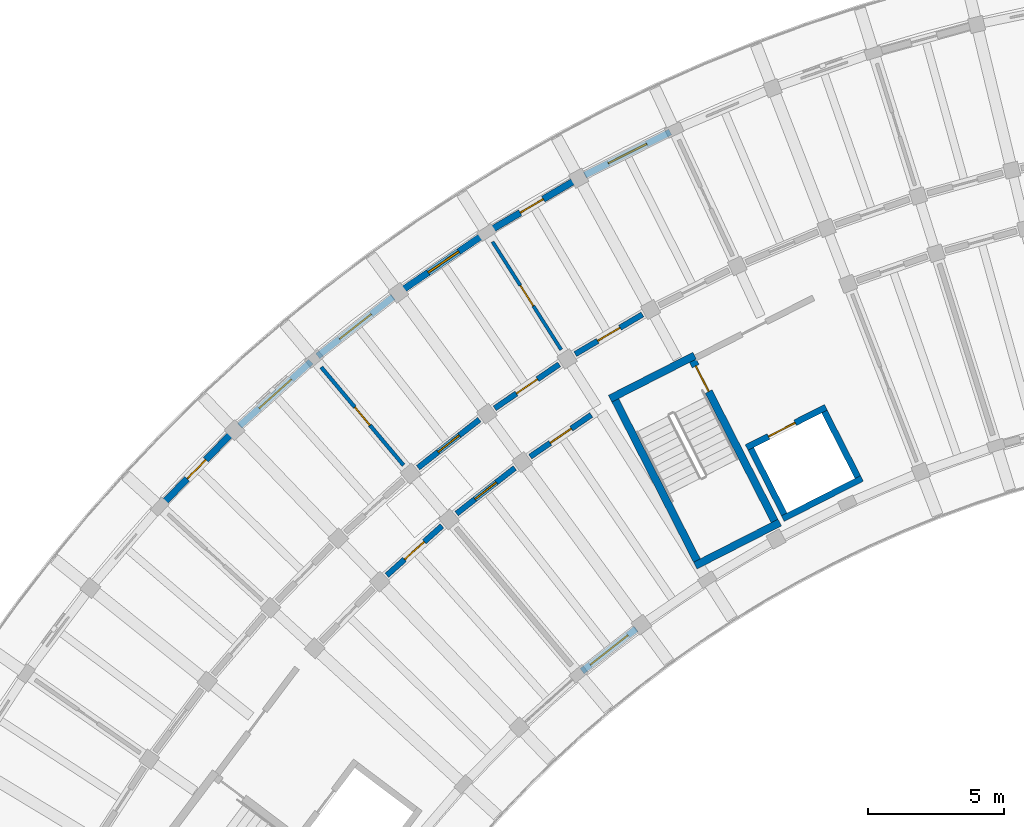
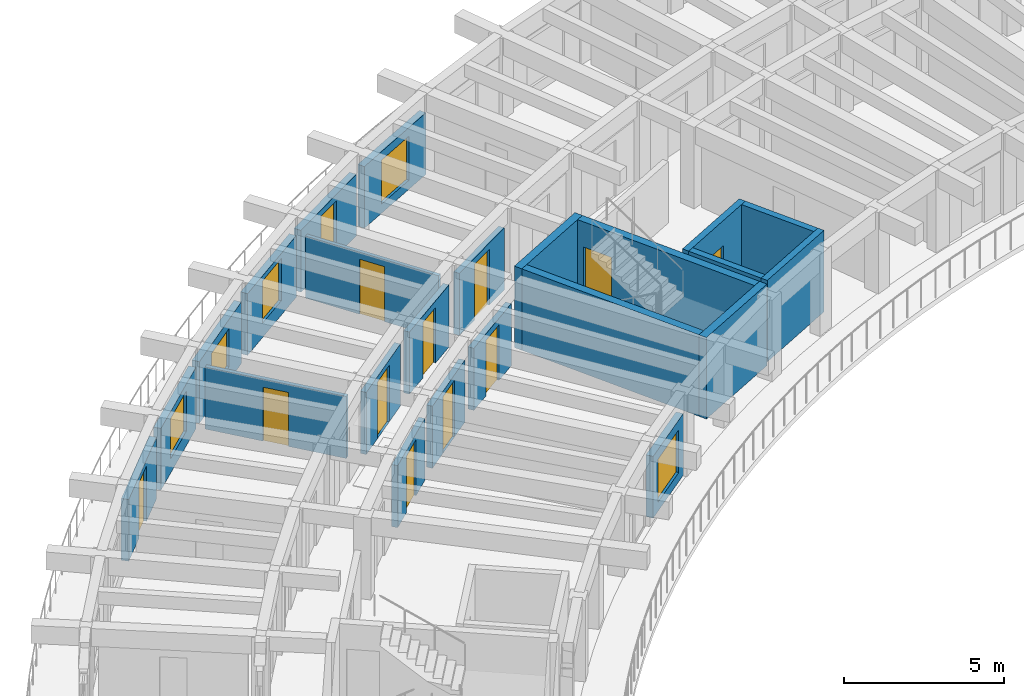
# One storey, part 35 of 69: 23 walls, 12 doors, 5 windows, 17 openings.
"""IFC4 building model written with IfcOpenShell, lengths in metres."""

from ifc_helpers import new_model, si_unit, direction, frame, frame_2d, origin, place, context, subcontext, project, spatial, rectangle, extrude, material, layer, layer_set, type_object, element, fill, save


model = new_model("IFC4")

# Units and contexts
model_context = context("Model", 3, precision=1e-05, world=origin(), true_north=direction((0.0, 1.0)))
body_context = subcontext(model_context, "Body", "Model", "MODEL_VIEW")
ifc_project = project(units=[si_unit("LENGTHUNIT", "METRE"), si_unit("AREAUNIT", "SQUARE_METRE"), si_unit("VOLUMEUNIT", "CUBIC_METRE"), si_unit("PLANEANGLEUNIT", "RADIAN"), si_unit("MASSUNIT", "GRAM", prefix="KILO")], contexts=[model_context])

# Site, building, storey
site_placement = place(None, origin())
site = spatial("IfcSite", under=ifc_project, at=site_placement, CompositionType="ELEMENT")
building_placement = place(site_placement, origin())
building = spatial("IfcBuilding", under=site, at=building_placement, Name="Tanwirah Colonnade Gardens", CompositionType="ELEMENT")
storey_placement = place(building_placement, frame((0.0, 0.0, 15.56005859375)))
storey = spatial("IfcBuildingStorey", under=building, at=storey_placement, Name="L04", CompositionType="ELEMENT", Elevation=15.56005859375)

# Wall, opening, window
ifc_material_1 = material(Name="Limestone architectural precast concrete C40/50", Category="masonry")
ifc_layer_1 = layer(ifc_material_1, 0.2451171875)
ifc_layer_set_1 = layer_set([ifc_layer_1], Name="Limestone architectural precast concrete C40/50")
wall_type_1 = type_object("IfcWallType", Name="EW-PC245", PredefinedType="SOLIDWALL", material=ifc_layer_set_1)
wall_1_placement = place(storey_placement, frame((39.794921875, 114.147216796875, 0.0), z_axis=(0.0, 0.0, 1.0), x_axis=(-0.892756700232, -0.450539092855, 0.0)))
wall_1 = element("IfcWall", 1, at=wall_1_placement, inside=storey, type_object=wall_type_1, Name="Block A L04 OUT Precast Facade Wall 5", PredefinedType="SOLIDWALL", context=body_context, shape_type="SweptSolid", body=[
    extrude(rectangle(XDim=3.520751953125, YDim=0.2451171875, at=frame_2d((1.76025390625, 0.0))), origin(), (0.0, 0.0, 1.0), 2.35498046875),
])
opening_1_placement = place(wall_1_placement, frame((0.97021484375, 0.0, 0.35009765625)))
opening_1 = element("IfcOpeningElement", 2, at=opening_1_placement, cuts=wall_1, Name="Opening WIN-T20", PredefinedType="OPENING", context=body_context, shape_type="SweptSolid", body=[
    extrude(rectangle(XDim=1.580078125, YDim=1.679931640625, at=frame_2d((0.7900390625, 0.83984375))), frame((0.0, 0.132568359375, 0.0), z_axis=(0.0, -1.0, 0.0), x_axis=(1.0, 0.0, 0.0)), (0.0, 0.0, 1.0), 0.26513671875),
])
ifc_material_2 = material(Name="Thermally broken bronze aluminium and solar low-E double glazing", Category="aluminium")
window_type_1 = type_object("IfcWindowType", Name="WIN-T20", PartitioningType="DOUBLE_PANEL_VERTICAL", PredefinedType="WINDOW", material=ifc_material_2)
window_1_placement = place(opening_1_placement, origin())
window_1 = element("IfcWindow", 3, at=window_1_placement, inside=storey, type_object=window_type_1, Name="Facade window A-L04-OUT-05", OverallHeight=1.679931640625, OverallWidth=1.580078125, PartitioningType="SINGLE_PANEL", PredefinedType="WINDOW", context=body_context, shape_type="SweptSolid", body=[
    extrude(rectangle(XDim=1.580078125, YDim=1.679931640625, at=frame_2d((0.7900390625, 0.83984375))), frame((0.0, 0.030029296875, 0.0), z_axis=(0.0, -1.0, 0.0), x_axis=(1.0, 0.0, 0.0)), (0.0, 0.0, 1.0), 0.06005859375),
])
fill(opening_1, window_1)

# Wall, opening, door
wall_2_placement = place(storey_placement, frame((36.22216796875, 112.326171875, 0.0), z_axis=(0.0, 0.0, 1.0), x_axis=(-0.861154218161, -0.50834379365, 0.0)))
wall_2 = element("IfcWall", 4, at=wall_2_placement, inside=storey, type_object=wall_type_1, Name="Block A L04 OUT Precast Facade Wall 6", PredefinedType="SOLIDWALL", context=body_context, shape_type="SweptSolid", body=[
    extrude(rectangle(XDim=3.520751953125, YDim=0.2451171875, at=frame_2d((1.76025390625, 0.0))), origin(), (0.0, 0.0, 1.0), 2.35498046875),
])
opening_2_placement = place(wall_2_placement, frame((1.270263671875, 0.0, 0.0)))
opening_2 = element("IfcOpeningElement", 5, at=opening_2_placement, cuts=wall_2, Name="Opening L04-ED019", PredefinedType="OPENING", context=body_context, shape_type="SweptSolid", body=[
    extrude(rectangle(XDim=0.97998046875, YDim=2.1201171875, at=frame_2d((0.489990234375, 1.06005859375))), frame((0.0, 0.132568359375, 0.0), z_axis=(0.0, -1.0, 0.0), x_axis=(1.0, 0.0, 0.0)), (0.0, 0.0, 1.0), 0.26513671875),
])
ifc_material_3 = material(Name="Bronze aluminium glazed balcony door", Category="aluminium")
door_type_1 = type_object("IfcDoorType", Name="ED-BAL098", OperationType="NOTDEFINED", PredefinedType="DOOR", material=ifc_material_3)
door_1_placement = place(opening_2_placement, origin())
door_1 = element("IfcDoor", 6, at=door_1_placement, inside=storey, type_object=door_type_1, Name="Balcony glazed door L04-ED019", OperationType="SINGLE_SWING_LEFT", OverallHeight=2.1201171875, OverallWidth=0.97998046875, PredefinedType="DOOR", context=body_context, shape_type="SweptSolid", body=[
    extrude(rectangle(XDim=0.97998046875, YDim=2.1201171875, at=frame_2d((0.489990234375, 1.06005859375))), frame((0.0, 0.02490234375, 0.0), z_axis=(0.0, -1.0, 0.0), x_axis=(1.0, 0.0, 0.0)), (0.0, 0.0, 1.0), 0.050048828125),
])
fill(opening_2, door_1)

# Wall, opening, window
wall_3_placement = place(storey_placement, frame((32.92041015625, 110.36474609375, 0.0), z_axis=(0.0, 0.0, 1.0), x_axis=(-0.825745840472, -0.56404238045, 0.0)))
wall_3 = element("IfcWall", 7, at=wall_3_placement, inside=storey, type_object=wall_type_1, Name="Block A L04 OUT Precast Facade Wall 7", PredefinedType="SOLIDWALL", context=body_context, shape_type="SweptSolid", body=[
    extrude(rectangle(XDim=3.520751953125, YDim=0.2451171875, at=frame_2d((1.76025390625, 0.0))), origin(), (0.0, 0.0, 1.0), 2.35498046875),
])
opening_3_placement = place(wall_3_placement, frame((1.080322265625, 0.0, 0.550048828125)))
opening_3 = element("IfcOpeningElement", 8, at=opening_3_placement, cuts=wall_3, Name="Opening WIN-U06", PredefinedType="OPENING", context=body_context, shape_type="SweptSolid", body=[
    extrude(rectangle(XDim=1.360107421875, YDim=1.610107421875, at=frame_2d((0.68017578125, 0.80517578125))), frame((0.0, 0.132568359375, 0.0), z_axis=(0.0, -1.0, 0.0), x_axis=(1.0, 0.0, 0.0)), (0.0, 0.0, 1.0), 0.26513671875),
])
window_type_2 = type_object("IfcWindowType", Name="WIN-U06", PartitioningType="DOUBLE_PANEL_VERTICAL", PredefinedType="WINDOW", material=ifc_material_2)
window_2_placement = place(opening_3_placement, origin())
window_2 = element("IfcWindow", 9, at=window_2_placement, inside=storey, type_object=window_type_2, Name="Facade window A-L04-OUT-07", OverallHeight=1.610107421875, OverallWidth=1.360107421875, PartitioningType="SINGLE_PANEL", PredefinedType="WINDOW", context=body_context, shape_type="SweptSolid", body=[
    extrude(rectangle(XDim=1.360107421875, YDim=1.610107421875, at=frame_2d((0.68017578125, 0.80517578125))), frame((0.0, 0.030029296875, 0.0), z_axis=(0.0, -1.0, 0.0), x_axis=(1.0, 0.0, 0.0)), (0.0, 0.0, 1.0), 0.06005859375),
])
fill(opening_3, window_2)

wall_4_placement = place(storey_placement, frame((29.617919921875, 108.089599609375, 0.0), z_axis=(0.0, 0.0, 1.0), x_axis=(-0.786813798172, -0.617190446301, 0.0)))
wall_4 = element("IfcWall", 10, at=wall_4_placement, inside=storey, type_object=wall_type_1, Name="Block A L04 OUT Precast Facade Wall 8", PredefinedType="SOLIDWALL", context=body_context, shape_type="SweptSolid", body=[
    extrude(rectangle(XDim=3.5205078125, YDim=0.2451171875, at=frame_2d((1.76025390625, 0.0))), origin(), (0.0, 0.0, 1.0), 2.35498046875),
])
opening_4_placement = place(wall_4_placement, frame((1.020263671875, 0.0, 0.550048828125)))
opening_4 = element("IfcOpeningElement", 11, at=opening_4_placement, cuts=wall_4, Name="Opening WIN-U09", PredefinedType="OPENING", context=body_context, shape_type="SweptSolid", body=[
    extrude(rectangle(XDim=1.47998046875, YDim=1.4599609375, at=frame_2d((0.739990234375, 0.72998046875))), frame((0.0, 0.132568359375, 0.0), z_axis=(0.0, -1.0, 0.0), x_axis=(1.0, 0.0, 0.0)), (0.0, 0.0, 1.0), 0.26513671875),
])
window_type_3 = type_object("IfcWindowType", Name="WIN-U09", PartitioningType="DOUBLE_PANEL_VERTICAL", PredefinedType="WINDOW", material=ifc_material_2)
window_3_placement = place(opening_4_placement, origin())
window_3 = element("IfcWindow", 12, at=window_3_placement, inside=storey, type_object=window_type_3, Name="Facade window A-L04-OUT-08", OverallHeight=1.4599609375, OverallWidth=1.47998046875, PartitioningType="SINGLE_PANEL", PredefinedType="WINDOW", context=body_context, shape_type="SweptSolid", body=[
    extrude(rectangle(XDim=1.47998046875, YDim=1.4599609375, at=frame_2d((0.739990234375, 0.72998046875))), frame((0.0, 0.030029296875, 0.0), z_axis=(0.0, -1.0, 0.0), x_axis=(1.0, 0.0, 0.0)), (0.0, 0.0, 1.0), 0.06005859375),
])
fill(opening_4, window_3)

wall_5_placement = place(storey_placement, frame((38.541015625, 95.907958984375, 0.0), z_axis=(0.0, 0.0, 1.0), x_axis=(-0.786831325151, -0.617168101704, 0.0)))
wall_5 = element("IfcWall", 13, at=wall_5_placement, inside=storey, type_object=wall_type_1, Name="Block A L04 IN Precast Facade Wall 8", PredefinedType="SOLIDWALL", context=body_context, shape_type="SweptSolid", body=[
    extrude(rectangle(XDim=2.525390625, YDim=0.2451171875, at=frame_2d((1.2626953125, 0.0))), origin(), (0.0, 0.0, 1.0), 2.35498046875),
])
opening_5_placement = place(wall_5_placement, frame((0.382568359375, 0.0, 0.35009765625)))
opening_5 = element("IfcOpeningElement", 14, at=opening_5_placement, cuts=wall_5, Name="Opening WIN-U16", PredefinedType="OPENING", context=body_context, shape_type="SweptSolid", body=[
    extrude(rectangle(XDim=1.760009765625, YDim=1.635009765625, at=frame_2d((0.8798828125, 0.8173828125))), frame((0.0, 0.132568359375, 0.0), z_axis=(0.0, -1.0, 0.0), x_axis=(1.0, 0.0, 0.0)), (0.0, 0.0, 1.0), 0.26513671875),
])
window_type_4 = type_object("IfcWindowType", Name="WIN-U16", PartitioningType="DOUBLE_PANEL_VERTICAL", PredefinedType="WINDOW", material=ifc_material_2)
window_4_placement = place(opening_5_placement, origin())
window_4 = element("IfcWindow", 15, at=window_4_placement, inside=storey, type_object=window_type_4, Name="Facade window A-L04-IN-08", OverallHeight=1.635009765625, OverallWidth=1.760009765625, PartitioningType="SINGLE_PANEL", PredefinedType="WINDOW", context=body_context, shape_type="SweptSolid", body=[
    extrude(rectangle(XDim=1.760009765625, YDim=1.635009765625, at=frame_2d((0.8798828125, 0.8173828125))), frame((0.0, 0.030029296875, 0.0), z_axis=(0.0, -1.0, 0.0), x_axis=(1.0, 0.0, 0.0)), (0.0, 0.0, 1.0), 0.06005859375),
])
fill(opening_5, window_4)

wall_6_placement = place(storey_placement, frame((26.602783203125, 105.711181640625, 0.0), z_axis=(0.0, 0.0, 1.0), x_axis=(-0.744413726571, -0.667718656092, 0.0)))
wall_6 = element("IfcWall", 16, at=wall_6_placement, inside=storey, type_object=wall_type_1, Name="Block A L04 OUT Precast Facade Wall 9", PredefinedType="SOLIDWALL", context=body_context, shape_type="SweptSolid", body=[
    extrude(rectangle(XDim=3.520751953125, YDim=0.2451171875, at=frame_2d((1.76025390625, 0.0))), origin(), (0.0, 0.0, 1.0), 2.35498046875),
])
opening_6_placement = place(wall_6_placement, frame((0.960205078125, 0.0, 0.550048828125)))
opening_6 = element("IfcOpeningElement", 17, at=opening_6_placement, cuts=wall_6, Name="Opening WIN-U12", PredefinedType="OPENING", context=body_context, shape_type="SweptSolid", body=[
    extrude(rectangle(XDim=1.60009765625, YDim=1.534912109375, at=frame_2d((0.800048828125, 0.767578125))), frame((0.0, 0.132568359375, 0.0), z_axis=(0.0, -1.0, 0.0), x_axis=(1.0, 0.0, 0.0)), (0.0, 0.0, 1.0), 0.26513671875),
])
window_type_5 = type_object("IfcWindowType", Name="WIN-U12", PartitioningType="DOUBLE_PANEL_VERTICAL", PredefinedType="WINDOW", material=ifc_material_2)
window_5_placement = place(opening_6_placement, origin())
window_5 = element("IfcWindow", 18, at=window_5_placement, inside=storey, type_object=window_type_5, Name="Facade window A-L04-OUT-09", OverallHeight=1.534912109375, OverallWidth=1.60009765625, PartitioningType="SINGLE_PANEL", PredefinedType="WINDOW", context=body_context, shape_type="SweptSolid", body=[
    extrude(rectangle(XDim=1.60009765625, YDim=1.534912109375, at=frame_2d((0.800048828125, 0.767578125))), frame((0.0, 0.030029296875, 0.0), z_axis=(0.0, -1.0, 0.0), x_axis=(1.0, 0.0, 0.0)), (0.0, 0.0, 1.0), 0.06005859375),
])
fill(opening_6, window_5)

# Wall, opening, door
wall_7_placement = place(storey_placement, frame((23.62841796875, 103.021484375, 0.0), z_axis=(0.0, 0.0, 1.0), x_axis=(-0.698841852324, -0.715276216186, 0.0)))
wall_7 = element("IfcWall", 19, at=wall_7_placement, inside=storey, type_object=wall_type_1, Name="Block A L04 OUT Precast Facade Wall 10", PredefinedType="SOLIDWALL", context=body_context, shape_type="SweptSolid", body=[
    extrude(rectangle(XDim=3.520751953125, YDim=0.2451171875, at=frame_2d((1.76025390625, 0.0))), origin(), (0.0, 0.0, 1.0), 2.35498046875),
])
opening_7_placement = place(wall_7_placement, frame((1.270263671875, 0.0, 0.0)))
opening_7 = element("IfcOpeningElement", 20, at=opening_7_placement, cuts=wall_7, Name="Opening L04-ED020", PredefinedType="OPENING", context=body_context, shape_type="SweptSolid", body=[
    extrude(rectangle(XDim=0.97998046875, YDim=2.1201171875, at=frame_2d((0.489990234375, 1.06005859375))), frame((0.0, 0.132568359375, 0.0), z_axis=(0.0, -1.0, 0.0), x_axis=(1.0, 0.0, 0.0)), (0.0, 0.0, 1.0), 0.26513671875),
])
door_2_placement = place(opening_7_placement, origin())
door_2 = element("IfcDoor", 21, at=door_2_placement, inside=storey, type_object=door_type_1, Name="Balcony glazed door L04-ED020", OperationType="SINGLE_SWING_LEFT", OverallHeight=2.1201171875, OverallWidth=0.97998046875, PredefinedType="DOOR", context=body_context, shape_type="SweptSolid", body=[
    extrude(rectangle(XDim=0.97998046875, YDim=2.1201171875, at=frame_2d((0.489990234375, 1.06005859375))), frame((0.0, 0.02490234375, 0.0), z_axis=(0.0, -1.0, 0.0), x_axis=(1.0, 0.0, 0.0)), (0.0, 0.0, 1.0), 0.050048828125),
])
fill(opening_7, door_2)

ifc_material_4 = material(Name="Precast concrete C40/50", Category="concrete")
ifc_layer_2 = layer(ifc_material_4, 0.205078125)
ifc_layer_set_2 = layer_set([ifc_layer_2], Name="Precast concrete C40/50")
wall_type_2 = type_object("IfcWallType", Name="IW-CORR205", PredefinedType="PARTITIONING", material=ifc_layer_set_2)
wall_8_placement = place(storey_placement, frame((38.77001953125, 107.447021484375, 0.0), z_axis=(0.0, 0.0, 1.0), x_axis=(-0.861113214678, -0.508413248753, 0.0)))
wall_8 = element("IfcWall", 22, at=wall_8_placement, inside=storey, type_object=wall_type_2, Name="Block A L04 OUT Corridor Wall 6", PredefinedType="PARTITIONING", context=body_context, shape_type="SweptSolid", body=[
    extrude(rectangle(XDim=2.863037109375, YDim=0.205078125, at=frame_2d((1.431640625, 0.0))), origin(), (0.0, 0.0, 1.0), 2.369873046875),
])
opening_8_placement = place(wall_8_placement, frame((0.95654296875, 0.0, 0.0)))
opening_8 = element("IfcOpeningElement", 23, at=opening_8_placement, cuts=wall_8, Name="Opening L04-AD403", PredefinedType="OPENING", context=body_context, shape_type="SweptSolid", body=[
    extrude(rectangle(XDim=0.949951171875, YDim=2.1298828125, at=frame_2d((0.47509765625, 1.06494140625))), frame((0.0, 0.112548828125, 0.0), z_axis=(0.0, -1.0, 0.0), x_axis=(1.0, 0.0, 0.0)), (0.0, 0.0, 1.0), 0.22509765625),
])
ifc_material_5 = material(Name="Solid oak fire-resisting apartment entrance door")
door_type_2 = type_object("IfcDoorType", Name="ID-FLT095", OperationType="NOTDEFINED", PredefinedType="DOOR", material=ifc_material_5)
door_3_placement = place(opening_8_placement, origin())
door_3 = element("IfcDoor", 24, at=door_3_placement, inside=storey, type_object=door_type_2, Name="Apartment corridor door L04-AD403", OperationType="SINGLE_SWING_LEFT", OverallHeight=2.1298828125, OverallWidth=0.949951171875, PredefinedType="DOOR", context=body_context, shape_type="SweptSolid", body=[
    extrude(rectangle(XDim=0.949951171875, YDim=2.1298828125, at=frame_2d((0.47509765625, 1.06494140625))), frame((0.0, 0.02490234375, 0.0), z_axis=(0.0, -1.0, 0.0), x_axis=(1.0, 0.0, 0.0)), (0.0, 0.0, 1.0), 0.050048828125),
])
fill(opening_8, door_3)

wall_9_placement = place(storey_placement, frame((35.714111328125, 105.615966796875, 0.0), z_axis=(0.0, 0.0, 1.0), x_axis=(-0.825779671787, -0.563992848947, 0.0)))
wall_9 = element("IfcWall", 25, at=wall_9_placement, inside=storey, type_object=wall_type_2, Name="Block A L04 OUT Corridor Wall 7", PredefinedType="PARTITIONING", context=body_context, shape_type="SweptSolid", body=[
    extrude(rectangle(XDim=2.863037109375, YDim=0.205078125, at=frame_2d((1.431640625, 0.0))), origin(), (0.0, 0.0, 1.0), 2.369873046875),
])
opening_9_placement = place(wall_9_placement, frame((0.966552734375, 0.0, 0.0)))
opening_9 = element("IfcOpeningElement", 26, at=opening_9_placement, cuts=wall_9, Name="Opening L04-AD405", PredefinedType="OPENING", context=body_context, shape_type="SweptSolid", body=[
    extrude(rectangle(XDim=0.929931640625, YDim=2.1201171875, at=frame_2d((0.46484375, 1.06005859375))), frame((0.0, 0.112548828125, 0.0), z_axis=(0.0, -1.0, 0.0), x_axis=(1.0, 0.0, 0.0)), (0.0, 0.0, 1.0), 0.22509765625),
])
door_type_3 = type_object("IfcDoorType", Name="ID-FLT093", OperationType="NOTDEFINED", PredefinedType="DOOR", material=ifc_material_5)
door_4_placement = place(opening_9_placement, origin())
door_4 = element("IfcDoor", 27, at=door_4_placement, inside=storey, type_object=door_type_3, Name="Apartment corridor door L04-AD405", OperationType="SINGLE_SWING_RIGHT", OverallHeight=2.1201171875, OverallWidth=0.929931640625, PredefinedType="DOOR", context=body_context, shape_type="SweptSolid", body=[
    extrude(rectangle(XDim=0.929931640625, YDim=2.1201171875, at=frame_2d((0.46484375, 1.06005859375))), frame((0.0, 0.02490234375, 0.0), z_axis=(0.0, -1.0, 0.0), x_axis=(1.0, 0.0, 0.0)), (0.0, 0.0, 1.0), 0.050048828125),
])
fill(opening_9, door_4)

wall_10_placement = place(storey_placement, frame((36.89453125, 103.759521484375, 0.0), z_axis=(0.0, 0.0, 1.0), x_axis=(-0.825752009056, -0.56403334967, 0.0)))
wall_10 = element("IfcWall", 28, at=wall_10_placement, inside=storey, type_object=wall_type_2, Name="Block A L04 IN Corridor Wall 7", PredefinedType="PARTITIONING", context=body_context, shape_type="SweptSolid", body=[
    extrude(rectangle(XDim=2.71826171875, YDim=0.205078125, at=frame_2d((1.359130859375, 0.0))), origin(), (0.0, 0.0, 1.0), 2.369873046875),
])
opening_10_placement = place(wall_10_placement, frame((0.89404296875, 0.0, 0.0)))
opening_10 = element("IfcOpeningElement", 29, at=opening_10_placement, cuts=wall_10, Name="Opening L04-AD406", PredefinedType="OPENING", context=body_context, shape_type="SweptSolid", body=[
    extrude(rectangle(XDim=0.929931640625, YDim=2.1201171875, at=frame_2d((0.46484375, 1.06005859375))), frame((0.0, 0.112548828125, 0.0), z_axis=(0.0, -1.0, 0.0), x_axis=(1.0, 0.0, 0.0)), (0.0, 0.0, 1.0), 0.22509765625),
])
door_5_placement = place(opening_10_placement, origin())
door_5 = element("IfcDoor", 30, at=door_5_placement, inside=storey, type_object=door_type_3, Name="Apartment corridor door L04-AD406", OperationType="SINGLE_SWING_LEFT", OverallHeight=2.1201171875, OverallWidth=0.929931640625, PredefinedType="DOOR", context=body_context, shape_type="SweptSolid", body=[
    extrude(rectangle(XDim=0.929931640625, YDim=2.1201171875, at=frame_2d((0.46484375, 1.06005859375))), frame((0.0, 0.02490234375, 0.0), z_axis=(0.0, -1.0, 0.0), x_axis=(1.0, 0.0, 0.0)), (0.0, 0.0, 1.0), 0.050048828125),
])
fill(opening_10, door_5)

wall_11_placement = place(storey_placement, frame((32.785400390625, 103.587890625, 0.0), z_axis=(0.0, 0.0, 1.0), x_axis=(-0.786806323554, -0.617199975061, 0.0)))
wall_11 = element("IfcWall", 31, at=wall_11_placement, inside=storey, type_object=wall_type_2, Name="Block A L04 OUT Corridor Wall 8", PredefinedType="PARTITIONING", context=body_context, shape_type="SweptSolid", body=[
    extrude(rectangle(XDim=2.863037109375, YDim=0.205078125, at=frame_2d((1.431640625, 0.0))), origin(), (0.0, 0.0, 1.0), 2.369873046875),
])
opening_11_placement = place(wall_11_placement, frame((0.9365234375, 0.0, 0.0)))
opening_11 = element("IfcOpeningElement", 32, at=opening_11_placement, cuts=wall_11, Name="Opening L04-AD407", PredefinedType="OPENING", context=body_context, shape_type="SweptSolid", body=[
    extrude(rectangle(XDim=0.989990234375, YDim=2.159912109375, at=frame_2d((0.4951171875, 1.080078125))), frame((0.0, 0.112548828125, 0.0), z_axis=(0.0, -1.0, 0.0), x_axis=(1.0, 0.0, 0.0)), (0.0, 0.0, 1.0), 0.22509765625),
])
door_type_4 = type_object("IfcDoorType", Name="ID-FLT099", OperationType="NOTDEFINED", PredefinedType="DOOR", material=ifc_material_5)
door_6_placement = place(opening_11_placement, origin())
door_6 = element("IfcDoor", 33, at=door_6_placement, inside=storey, type_object=door_type_4, Name="Apartment corridor door L04-AD407", OperationType="SINGLE_SWING_LEFT", OverallHeight=2.159912109375, OverallWidth=0.989990234375, PredefinedType="DOOR", context=body_context, shape_type="SweptSolid", body=[
    extrude(rectangle(XDim=0.989990234375, YDim=2.159912109375, at=frame_2d((0.4951171875, 1.080078125))), frame((0.0, 0.02490234375, 0.0), z_axis=(0.0, -1.0, 0.0), x_axis=(1.0, 0.0, 0.0)), (0.0, 0.0, 1.0), 0.050048828125),
])
fill(opening_11, door_6)

wall_12_placement = place(storey_placement, frame((34.08544921875, 101.81298828125, 0.0), z_axis=(0.0, 0.0, 1.0), x_axis=(-0.786835457019, -0.617162833924, 0.0)))
wall_12 = element("IfcWall", 34, at=wall_12_placement, inside=storey, type_object=wall_type_2, Name="Block A L04 IN Corridor Wall 8", PredefinedType="PARTITIONING", context=body_context, shape_type="SweptSolid", body=[
    extrude(rectangle(XDim=2.718017578125, YDim=0.205078125, at=frame_2d((1.35888671875, 0.0))), origin(), (0.0, 0.0, 1.0), 2.369873046875),
])
opening_12_placement = place(wall_12_placement, frame((0.864013671875, 0.0, 0.0)))
opening_12 = element("IfcOpeningElement", 35, at=opening_12_placement, cuts=wall_12, Name="Opening L04-AD408", PredefinedType="OPENING", context=body_context, shape_type="SweptSolid", body=[
    extrude(rectangle(XDim=0.989990234375, YDim=2.159912109375, at=frame_2d((0.4951171875, 1.080078125))), frame((0.0, 0.112548828125, 0.0), z_axis=(0.0, -1.0, 0.0), x_axis=(1.0, 0.0, 0.0)), (0.0, 0.0, 1.0), 0.22509765625),
])
door_7_placement = place(opening_12_placement, origin())
door_7 = element("IfcDoor", 36, at=door_7_placement, inside=storey, type_object=door_type_4, Name="Apartment corridor door L04-AD408", OperationType="SINGLE_SWING_RIGHT", OverallHeight=2.159912109375, OverallWidth=0.989990234375, PredefinedType="DOOR", context=body_context, shape_type="SweptSolid", body=[
    extrude(rectangle(XDim=0.989990234375, YDim=2.159912109375, at=frame_2d((0.4951171875, 1.080078125))), frame((0.0, 0.02490234375, 0.0), z_axis=(0.0, -1.0, 0.0), x_axis=(1.0, 0.0, 0.0)), (0.0, 0.0, 1.0), 0.050048828125),
])
fill(opening_12, door_7)

wall_13_placement = place(storey_placement, frame((31.410888671875, 99.685791015625, 0.0), z_axis=(0.0, 0.0, 1.0), x_axis=(-0.744418559135, -0.667713268413, 0.0)))
wall_13 = element("IfcWall", 37, at=wall_13_placement, inside=storey, type_object=wall_type_2, Name="Block A L04 IN Corridor Wall 9", PredefinedType="PARTITIONING", context=body_context, shape_type="SweptSolid", body=[
    extrude(rectangle(XDim=2.71826171875, YDim=0.205078125, at=frame_2d((1.359130859375, 0.0))), origin(), (0.0, 0.0, 1.0), 2.369873046875),
])
opening_13_placement = place(wall_13_placement, frame((0.8740234375, 0.0, 0.0)))
opening_13 = element("IfcOpeningElement", 38, at=opening_13_placement, cuts=wall_13, Name="Opening L04-AD411", PredefinedType="OPENING", context=body_context, shape_type="SweptSolid", body=[
    extrude(rectangle(XDim=0.969970703125, YDim=2.14990234375, at=frame_2d((0.48486328125, 1.074951171875))), frame((0.0, 0.112548828125, 0.0), z_axis=(0.0, -1.0, 0.0), x_axis=(1.0, 0.0, 0.0)), (0.0, 0.0, 1.0), 0.22509765625),
])
door_type_5 = type_object("IfcDoorType", Name="ID-FLT097", OperationType="NOTDEFINED", PredefinedType="DOOR", material=ifc_material_5)
door_8_placement = place(opening_13_placement, origin())
door_8 = element("IfcDoor", 39, at=door_8_placement, inside=storey, type_object=door_type_5, Name="Apartment corridor door L04-AD411", OperationType="SINGLE_SWING_LEFT", OverallHeight=2.14990234375, OverallWidth=0.969970703125, PredefinedType="DOOR", context=body_context, shape_type="SweptSolid", body=[
    extrude(rectangle(XDim=0.969970703125, YDim=2.14990234375, at=frame_2d((0.48486328125, 1.074951171875))), frame((0.0, 0.02490234375, 0.0), z_axis=(0.0, -1.0, 0.0), x_axis=(1.0, 0.0, 0.0)), (0.0, 0.0, 1.0), 0.050048828125),
])
fill(opening_13, door_8)

ifc_material_6 = material(Name="Moisture-resistant gypsum stud partition")
ifc_layer_3 = layer(ifc_material_6, 0.125)
ifc_layer_set_3 = layer_set([ifc_layer_3], Name="Moisture-resistant gypsum stud partition")
wall_type_3 = type_object("IfcWallType", Name="IW-INT125", PredefinedType="PARTITIONING", material=ifc_layer_set_3)
wall_14_placement = place(storey_placement, frame((35.78857421875, 106.151123046875, 0.0), z_axis=(0.0, 0.0, 1.0), x_axis=(-0.536492262982, 0.843905238614, 0.0)))
wall_14 = element("IfcWall", 40, at=wall_14_placement, inside=storey, type_object=wall_type_3, Name="Block A L04 Radial Partition 6", PredefinedType="PARTITIONING", context=body_context, shape_type="SweptSolid", body=[
    extrude(rectangle(XDim=4.699951171875, YDim=0.125, at=frame_2d((2.35009765625, 0.0))), origin(), (0.0, 0.0, 1.0), 2.369873046875),
])
opening_14_placement = place(wall_14_placement, frame((1.905029296875, 0.0, 0.0)))
opening_14 = element("IfcOpeningElement", 41, at=opening_14_placement, cuts=wall_14, Name="Opening L04-RD404", PredefinedType="OPENING", context=body_context, shape_type="SweptSolid", body=[
    extrude(rectangle(XDim=0.889892578125, YDim=2.10009765625, at=frame_2d((0.44482421875, 1.050048828125))), frame((0.0, 0.072509765625, 0.0), z_axis=(0.0, -1.0, 0.0), x_axis=(1.0, 0.0, 0.0)), (0.0, 0.0, 1.0), 0.14501953125),
])
ifc_material_7 = material(Name="Painted hardwood bedroom door", Category="wood")
door_type_6 = type_object("IfcDoorType", Name="ID-RM089", OperationType="NOTDEFINED", PredefinedType="DOOR", material=ifc_material_7)
door_9_placement = place(opening_14_placement, origin())
door_9 = element("IfcDoor", 42, at=door_9_placement, inside=storey, type_object=door_type_6, Name="Internal apartment door L04-RD404", OperationType="SINGLE_SWING_LEFT", OverallHeight=2.10009765625, OverallWidth=0.889892578125, PredefinedType="DOOR", context=body_context, shape_type="SweptSolid", body=[
    extrude(rectangle(XDim=0.889892578125, YDim=2.10009765625, at=frame_2d((0.44482421875, 1.050048828125))), frame((0.0, 0.02490234375, 0.0), z_axis=(0.0, -1.0, 0.0), x_axis=(1.0, 0.0, 0.0)), (0.0, 0.0, 1.0), 0.050048828125),
])
fill(opening_14, door_9)

ifc_material_8 = material(Name="Water-resistant acoustic plumbing partition")
ifc_layer_4 = layer(ifc_material_8, 0.139892578125)
ifc_layer_set_4 = layer_set([ifc_layer_4], Name="Water-resistant acoustic plumbing partition")
wall_type_4 = type_object("IfcWallType", Name="IW-WET140", PredefinedType="PLUMBINGWALL", material=ifc_layer_set_4)
wall_15_placement = place(storey_placement, frame((30.000244140625, 101.9111328125, 0.0), z_axis=(0.0, 0.0, 1.0), x_axis=(-0.642811926223, 0.766024038465, 0.0)))
wall_15 = element("IfcWall", 43, at=wall_15_placement, inside=storey, type_object=wall_type_4, Name="Block A L04 Radial Partition 8", PredefinedType="PLUMBINGWALL", context=body_context, shape_type="SweptSolid", body=[
    extrude(rectangle(XDim=4.699951171875, YDim=0.139892578125, at=frame_2d((2.35009765625, 0.0))), origin(), (0.0, 0.0, 1.0), 2.369873046875),
])
opening_15_placement = place(wall_15_placement, frame((1.919921875, 0.0, 0.0)))
opening_15 = element("IfcOpeningElement", 44, at=opening_15_placement, cuts=wall_15, Name="Opening L04-RD409", PredefinedType="OPENING", context=body_context, shape_type="SweptSolid", body=[
    extrude(rectangle(XDim=0.860107421875, YDim=2.06005859375, at=frame_2d((0.43017578125, 1.030029296875))), frame((0.0, 0.079833984375, 0.0), z_axis=(0.0, -1.0, 0.0), x_axis=(1.0, 0.0, 0.0)), (0.0, 0.0, 1.0), 0.159912109375),
])
ifc_material_9 = material(Name="Moisture-resistant bathroom door")
door_type_7 = type_object("IfcDoorType", Name="ID-WET086", OperationType="NOTDEFINED", PredefinedType="DOOR", material=ifc_material_9)
door_10_placement = place(opening_15_placement, origin())
door_10 = element("IfcDoor", 45, at=door_10_placement, inside=storey, type_object=door_type_7, Name="Internal apartment door L04-RD409", OperationType="SINGLE_SWING_LEFT", OverallHeight=2.06005859375, OverallWidth=0.860107421875, PredefinedType="DOOR", context=body_context, shape_type="SweptSolid", body=[
    extrude(rectangle(XDim=0.860107421875, YDim=2.06005859375, at=frame_2d((0.43017578125, 1.030029296875))), frame((0.0, 0.02490234375, 0.0), z_axis=(0.0, -1.0, 0.0), x_axis=(1.0, 0.0, 0.0)), (0.0, 0.0, 1.0), 0.050048828125),
])
fill(opening_15, door_10)

# Walls
ifc_material_10 = material(Name="Concrete C45/55", Category="concrete")
ifc_layer_5 = layer(ifc_material_10, 0.280029296875)
ifc_layer_set_5 = layer_set([ifc_layer_5], Name="Concrete C45/55")
wall_type_5 = type_object("IfcWallType", Name="SW-CORE280", PredefinedType="SHEAR", material=ifc_layer_set_5)
wall_16_placement = place(storey_placement, frame((37.7734375, 104.295654296875, 0.0), z_axis=(0.0, 0.0, 1.0), x_axis=(0.453992276384, -0.891005618941, 0.0)))
element("IfcWall", 46, at=wall_16_placement, inside=storey, type_object=wall_type_5, Name="CORE-A1 L04 Stair Shaft Shear Wall LEFT", PredefinedType="SHEAR", context=body_context, shape_type="SweptSolid", body=[
    extrude(rectangle(XDim=6.599853515625, YDim=0.280029296875, at=frame_2d((3.2998046875, 0.0))), origin(), (0.0, 0.0, 1.0), 3.10986328125),
])
for number, where, z_axis, x_axis, name in (
    (47, (40.708740234375, 98.2265625, 0.0), (0.0, 0.0, 1.0), (0.891005763861, 0.453991991964, 0.0), "CORE-A1 L04 Stair Shaft Shear Wall FAR"),
    (48, (37.585205078125, 104.356689453125, 0.0), (0.0, 0.0, 1.0), (0.891020222667, 0.453963613958, 0.0), "CORE-A1 L04 Stair Shaft Shear Wall NEAR"),
):
    element("IfcWall", number, at=place(storey_placement, frame(where, z_axis=z_axis, x_axis=x_axis)), inside=storey, type_object=wall_type_5, Name=name, PredefinedType="SHEAR", context=body_context, shape_type="SweptSolid", body=[
        extrude(rectangle(XDim=3.47998046875, YDim=0.280029296875, at=frame_2d((1.739990234375, 0.0))), origin(), (0.0, 0.0, 1.0), 3.10986328125),
    ])

# Wall, opening, door
wall_17_placement = place(storey_placement, frame((40.624755859375, 105.748291015625, 0.0), z_axis=(0.0, 0.0, 1.0), x_axis=(0.453992276384, -0.891005618941, 0.0)))
wall_17 = element("IfcWall", 49, at=wall_17_placement, inside=storey, type_object=wall_type_5, Name="CORE-A1 L04 Stair Shaft Shear Wall RIGHT", PredefinedType="SHEAR", context=body_context, shape_type="SweptSolid", body=[
    extrude(rectangle(XDim=6.599853515625, YDim=0.280029296875, at=frame_2d((3.2998046875, 0.0))), origin(), (0.0, 0.0, 1.0), 3.10986328125),
])
opening_16_placement = place(wall_17_placement, frame((0.219970703125, 0.0, 0.0)))
opening_16 = element("IfcOpeningElement", 50, at=opening_16_placement, cuts=wall_17, Name="Opening L04-SD006", PredefinedType="OPENING", context=body_context, shape_type="SweptSolid", body=[
    extrude(rectangle(XDim=1.050048828125, YDim=2.14990234375, at=frame_2d((0.52490234375, 1.074951171875))), frame((0.0, 0.14990234375, 0.0), z_axis=(0.0, -1.0, 0.0), x_axis=(1.0, 0.0, 0.0)), (0.0, 0.0, 1.0), 0.300048828125),
])
ifc_material_11 = material(Name="Steel fire-resisting stair enclosure door", Category="steel")
door_type_8 = type_object("IfcDoorType", Name="ID-ST105", OperationType="NOTDEFINED", PredefinedType="DOOR", material=ifc_material_11)
door_11_placement = place(opening_16_placement, origin())
door_11 = element("IfcDoor", 51, at=door_11_placement, inside=storey, type_object=door_type_8, Name="CORE-A1 L04 Stair Fire Door L04-SD006", OperationType="SINGLE_SWING_LEFT", OverallHeight=2.14990234375, OverallWidth=1.050048828125, PredefinedType="DOOR", context=body_context, shape_type="SweptSolid", body=[
    extrude(rectangle(XDim=1.050048828125, YDim=2.14990234375, at=frame_2d((0.52490234375, 1.074951171875))), frame((0.0, 0.02490234375, 0.0), z_axis=(0.0, -1.0, 0.0), x_axis=(1.0, 0.0, 0.0)), (0.0, 0.0, 1.0), 0.050048828125),
])
fill(opening_16, door_11)

ifc_layer_6 = layer(ifc_material_10, 0.22998046875)
ifc_layer_set_6 = layer_set([ifc_layer_6], Name="Concrete C45/55")
wall_type_6 = type_object("IfcWallType", Name="SW-LIFT230", PredefinedType="SHEAR", material=ifc_layer_set_6)
wall_18_placement = place(storey_placement, frame((42.5966796875, 102.561279296875, 0.0), z_axis=(0.0, 0.0, 1.0), x_axis=(0.891001200497, 0.454000947921, 0.0)))
wall_18 = element("IfcWall", 52, at=wall_18_placement, inside=storey, type_object=wall_type_6, Name="CORE-A1 L04 Lift Shaft Wall FRONT", PredefinedType="SHEAR", context=body_context, shape_type="SweptSolid", body=[
    extrude(rectangle(XDim=3.259765625, YDim=0.22998046875, at=frame_2d((1.6298828125, 0.0))), origin(), (0.0, 0.0, 1.0), 3.10986328125),
])
opening_17_placement = place(wall_18_placement, frame((0.89990234375, 0.0, 0.0)))
opening_17 = element("IfcOpeningElement", 53, at=opening_17_placement, cuts=wall_18, Name="Opening L04-LD-FL-A1", PredefinedType="OPENING", context=body_context, shape_type="SweptSolid", body=[
    extrude(rectangle(XDim=1.10009765625, YDim=2.14990234375, at=frame_2d((0.550048828125, 1.074951171875))), frame((0.0, 0.125, 0.0), z_axis=(0.0, -1.0, 0.0), x_axis=(1.0, 0.0, 0.0)), (0.0, 0.0, 1.0), 0.25),
])
ifc_material_12 = material(Name="Stainless steel sliding fire lift landing door", Category="steel")
door_type_9 = type_object("IfcDoorType", Name="LD-FF11", OperationType="DOUBLE_DOOR_SLIDING", PredefinedType="DOOR", material=ifc_material_12)
door_12_placement = place(opening_17_placement, origin())
door_12 = element("IfcDoor", 54, at=door_12_placement, inside=storey, type_object=door_type_9, Name="Lift FL-A1 L04 Sliding Landing Door", OperationType="DOUBLE_DOOR_SLIDING", OverallHeight=2.14990234375, OverallWidth=1.10009765625, PredefinedType="DOOR", context=body_context, shape_type="SweptSolid", body=[
    extrude(rectangle(XDim=1.10009765625, YDim=2.14990234375, at=frame_2d((0.550048828125, 1.074951171875))), frame((0.0, 0.02490234375, 0.0), z_axis=(0.0, -1.0, 0.0), x_axis=(1.0, 0.0, 0.0)), (0.0, 0.0, 1.0), 0.050048828125),
])
fill(opening_17, door_12)

# Walls
wall_19_placement = place(storey_placement, frame((43.9267578125, 99.950439453125, 0.0), z_axis=(0.0, 0.0, 1.0), x_axis=(0.891016635648, 0.453970654337, 0.0)))
element("IfcWall", 55, at=wall_19_placement, inside=storey, type_object=wall_type_6, Name="CORE-A1 L04 Lift Shaft Wall BACK", PredefinedType="SHEAR", context=body_context, shape_type="SweptSolid", body=[
    extrude(rectangle(XDim=3.260009765625, YDim=0.22998046875, at=frame_2d((1.6298828125, 0.0))), origin(), (0.0, 0.0, 1.0), 3.10986328125),
])
for number, where, z_axis, x_axis, name in (
    (56, (42.751220703125, 102.510986328125, 0.0), (0.0, 0.0, 1.0), (0.454000278178, -0.891001541758, 0.0), "CORE-A1 L04 Lift Shaft Wall SIDEA"),
    (57, (45.450927734375, 103.886474609375, 0.0), (0.0, 0.0, 1.0), (0.454000278178, -0.891001541758, 0.0), "CORE-A1 L04 Lift Shaft Wall SIDEB"),
):
    element("IfcWall", number, at=place(storey_placement, frame(where, z_axis=z_axis, x_axis=x_axis)), inside=storey, type_object=wall_type_6, Name=name, PredefinedType="SHEAR", context=body_context, shape_type="SweptSolid", body=[
        extrude(rectangle(XDim=2.699951171875, YDim=0.22998046875, at=frame_2d((1.35009765625, 0.0))), origin(), (0.0, 0.0, 1.0), 3.10986328125),
    ])

save(model, "model.ifc")
